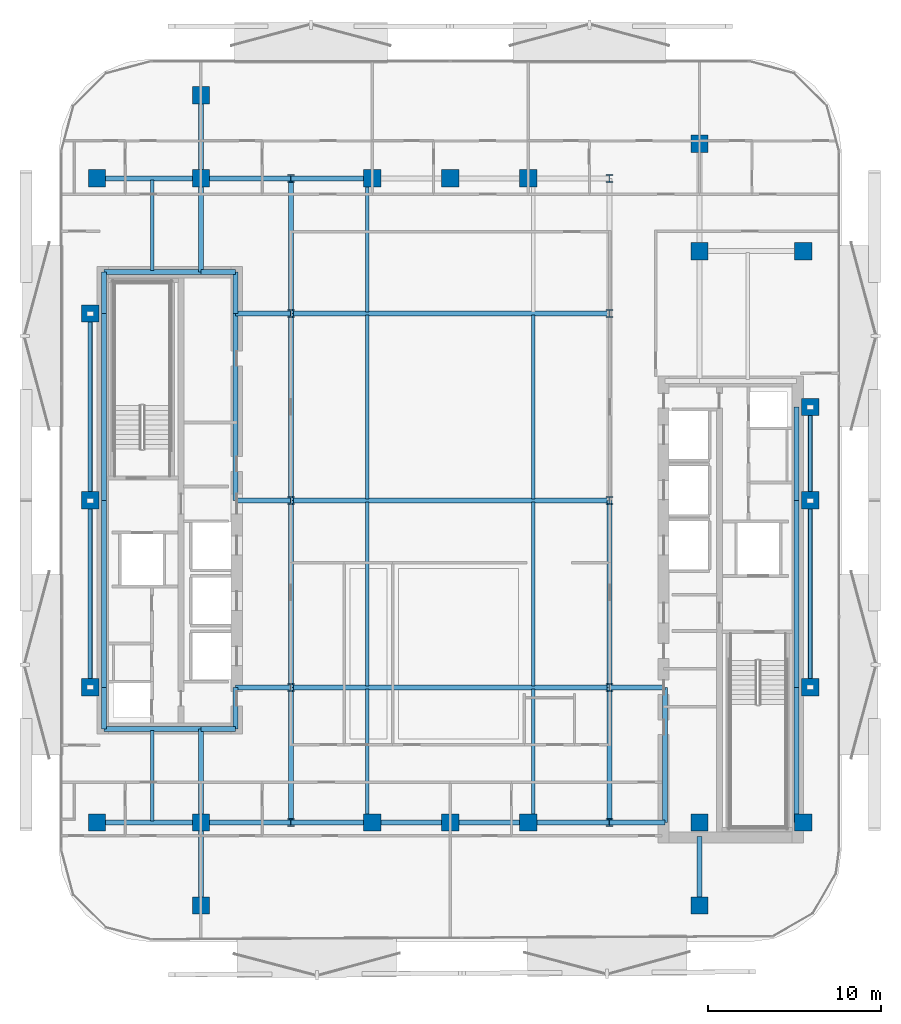
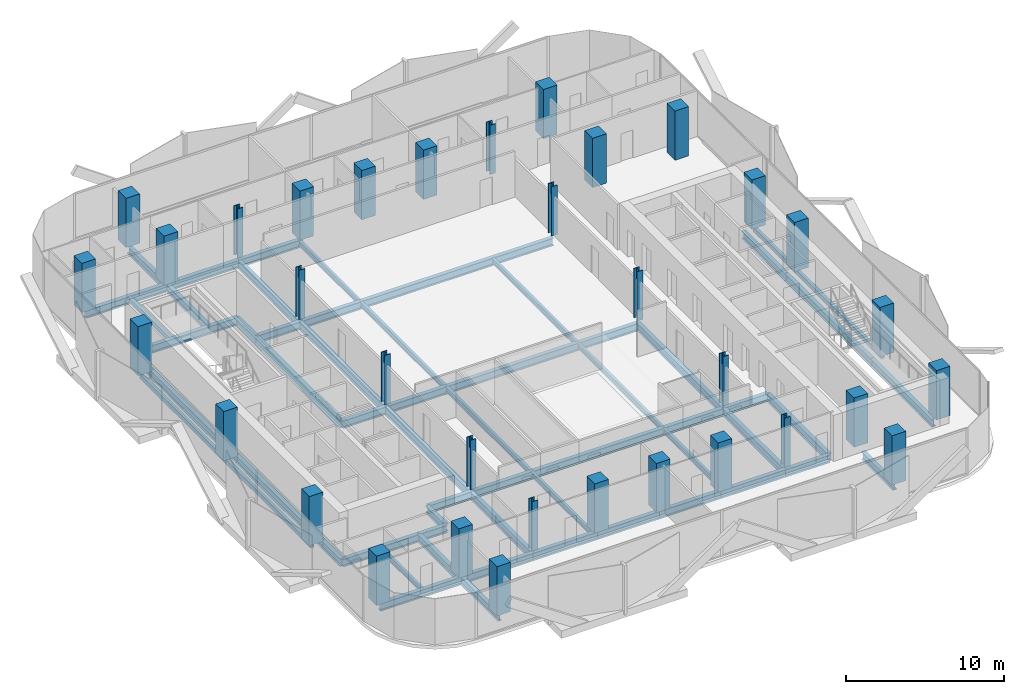
# One storey, part 1 of 17: 56 beams, 34 columns.
"""IFC4 building model written with IfcOpenShell, lengths in metres."""

from ifc_helpers import new_model, si_unit, direction, frame, origin, origin_2d, place, context, subcontext, project, spatial, rectangle, hollow_rectangle, i_section, extrude, material, material_profile, profile_set, type_object, element, save


model = new_model("IFC4")

# Units and contexts
model_context = context("Model", 3, precision=1e-05, world=origin(), true_north=direction((0.0, 1.0)))
body_context = subcontext(model_context, "Body", "Model", "MODEL_VIEW")
ifc_project = project(units=[si_unit("LENGTHUNIT", "METRE"), si_unit("AREAUNIT", "SQUARE_METRE"), si_unit("VOLUMEUNIT", "CUBIC_METRE"), si_unit("PLANEANGLEUNIT", "RADIAN"), si_unit("MASSUNIT", "GRAM", prefix="KILO")], contexts=[model_context])

# Site, building, storey
site_placement = place(None, origin())
site = spatial("IfcSite", under=ifc_project, at=site_placement, CompositionType="ELEMENT")
building_placement = place(site_placement, origin())
building = spatial("IfcBuilding", under=site, at=building_placement, Name="Khairoan Windgate Tower", CompositionType="ELEMENT")
storey_placement = place(building_placement, frame((0.0, 0.0, 168.800048828125)))
storey = spatial("IfcBuildingStorey", under=building, at=storey_placement, Name="L38", CompositionType="ELEMENT", Elevation=168.800048828125)

# Columns
ifc_material_1 = material(Name="Concrete C50/60", Category="concrete")
ifc_material_profile_1 = material_profile(ifc_material_1, rectangle(XDim=1.0, YDim=1.0, at=origin_2d()))
ifc_profile_set_1 = profile_set([ifc_material_profile_1], Name="Concrete C50/60")
column_type_1 = type_object("IfcColumnType", Name="Column C-T4 RC1000x1000", PredefinedType="COLUMN", material=ifc_profile_set_1)
for number, where, z_axis, x_axis, name in (
    (1, (-20.39990234375, -18.60009765625, 0.0), (0.0, 0.0, 1.0), (1.0, 0.0, 0.0), "Column L38-11"),
    (2, (-20.39990234375, 18.60009765625, 0.0), (0.0, 0.0, 1.0), (1.0, 0.0, 0.0), "Column L38-12"),
    (3, (20.39990234375, -18.60009765625, 0.0), (0.0, 0.0, 1.0), (1.0, 0.0, 0.0), "Column L38-13"),
    (4, (20.39990234375, 14.39990234375, 0.0), (0.0, 0.0, 1.0), (1.0, 0.0, 0.0), "Column L38-14"),
    (5, (-14.39990234375, -18.60009765625, 0.0), (0.0, 0.0, 1.0), (1.0, 0.0, 0.0), "Column L38-15"),
    (6, (-14.39990234375, 18.60009765625, 0.0), (0.0, 0.0, 1.0), (1.0, 0.0, 0.0), "Column L38-16"),
    (7, (14.39990234375, -18.60009765625, 0.0), (0.0, 0.0, 1.0), (1.0, 0.0, 0.0), "Column L38-17"),
    (8, (14.39990234375, 14.39990234375, 0.0), (0.0, 0.0, 1.0), (1.0, 0.0, 0.0), "Column L38-18"),
    (9, (-4.5, -18.60009765625, 0.0), (0.0, 0.0, 1.0), (1.0, 0.0, 0.0), "Column L38-19"),
    (10, (0.0, -18.60009765625, 0.0), (0.0, 0.0, 1.0), (1.0, 0.0, 0.0), "Column L38-20"),
    (11, (4.5, -18.60009765625, 0.0), (0.0, 0.0, 1.0), (1.0, 0.0, 0.0), "Column L38-21"),
    (12, (-4.5, 18.60009765625, 0.0), (0.0, 0.0, 1.0), (1.0, 0.0, 0.0), "Column L38-22"),
    (13, (0.0, 18.60009765625, 0.0), (0.0, 0.0, 1.0), (1.0, 0.0, 0.0), "Column L38-23"),
    (14, (4.5, 18.60009765625, 0.0), (0.0, 0.0, 1.0), (1.0, 0.0, 0.0), "Column L38-24"),
    (15, (-20.800048828125, -10.800048828125, 0.0), (0.0, 0.0, 1.0), (1.0, 0.0, 0.0), "Column L38-25"),
    (16, (-20.800048828125, 0.0, 0.0), (0.0, 0.0, 1.0), (1.0, 0.0, 0.0), "Column L38-26"),
    (17, (-20.800048828125, 10.800048828125, 0.0), (0.0, 0.0, 1.0), (1.0, 0.0, 0.0), "Column L38-27"),
    (18, (20.800048828125, -10.800048828125, 0.0), (0.0, 0.0, 1.0), (1.0, 0.0, 0.0), "Column L38-28"),
    (19, (20.800048828125, 0.0, 0.0), (0.0, 0.0, 1.0), (1.0, 0.0, 0.0), "Column L38-29"),
    (20, (20.800048828125, 5.39990234375, 0.0), (0.0, 0.0, 1.0), (1.0, 0.0, 0.0), "Column L38-30"),
    (21, (-14.39990234375, -23.39990234375, 0.0), (0.0, 0.0, 1.0), (1.0, 0.0, 0.0), "Column L38-31"),
    (22, (-14.39990234375, 23.39990234375, 0.0), (0.0, 0.0, 1.0), (1.0, 0.0, 0.0), "Column L38-32"),
    (23, (14.39990234375, -23.39990234375, 0.0), (0.0, 0.0, 1.0), (1.0, 0.0, 0.0), "Column L38-33"),
    (24, (14.39990234375, 20.60009765625, 0.0), (0.0, 0.0, 1.0), (1.0, 0.0, 0.0), "Column L38-34"),
):
    element("IfcColumn", number, at=place(storey_placement, frame(where, z_axis=z_axis, x_axis=x_axis)), inside=storey, type_object=column_type_1, Name=name, PredefinedType="COLUMN", context=body_context, shape_type="SweptSolid", body=[
        extrude(rectangle(XDim=1.0, YDim=1.0, at=origin_2d()), origin(), (0.0, 0.0, 1.0), 3.800048828125),
    ])
ifc_material_2 = material(Name="Steel S355", Category="steel")
ifc_material_profile_2 = material_profile(ifc_material_2, i_section(OverallWidth=0.4169921875, OverallDepth=0.4580078125, WebThickness=0.030029296875, FlangeThickness=0.050048828125, FilletRadius=0.02197265625, at=origin_2d()))
ifc_profile_set_2 = profile_set([ifc_material_profile_2], Name="Steel S355")
column_type_2 = type_object("IfcColumnType", Name="Steel Column SC2 H458x417x30x50", PredefinedType="COLUMN", material=ifc_profile_set_2)
for number, where, z_axis, x_axis, name in (
    (25, (-9.199951171875, -18.60009765625, 0.0), (0.0, 0.0, 1.0), (1.0, 0.0, 0.0), "Column L38-01"),
    (26, (-9.199951171875, -10.800048828125, 0.0), (0.0, 0.0, 1.0), (1.0, 0.0, 0.0), "Column L38-02"),
    (27, (-9.199951171875, 0.0, 0.0), (0.0, 0.0, 1.0), (1.0, 0.0, 0.0), "Column L38-03"),
    (28, (-9.199951171875, 10.800048828125, 0.0), (0.0, 0.0, 1.0), (1.0, 0.0, 0.0), "Column L38-04"),
    (29, (-9.199951171875, 18.60009765625, 0.0), (0.0, 0.0, 1.0), (1.0, 0.0, 0.0), "Column L38-05"),
    (30, (9.199951171875, -18.60009765625, 0.0), (0.0, 0.0, 1.0), (1.0, 0.0, 0.0), "Column L38-06"),
    (31, (9.199951171875, -10.800048828125, 0.0), (0.0, 0.0, 1.0), (1.0, 0.0, 0.0), "Column L38-07"),
    (32, (9.199951171875, 0.0, 0.0), (0.0, 0.0, 1.0), (1.0, 0.0, 0.0), "Column L38-08"),
    (33, (9.199951171875, 10.800048828125, 0.0), (0.0, 0.0, 1.0), (1.0, 0.0, 0.0), "Column L38-09"),
    (34, (9.199951171875, 18.60009765625, 0.0), (0.0, 0.0, 1.0), (1.0, 0.0, 0.0), "Column L38-10"),
):
    element("IfcColumn", number, at=place(storey_placement, frame(where, z_axis=z_axis, x_axis=x_axis)), inside=storey, type_object=column_type_2, Name=name, PredefinedType="COLUMN", context=body_context, shape_type="SweptSolid", body=[
        extrude(i_section(OverallWidth=0.4169921875, OverallDepth=0.4580078125, WebThickness=0.030029296875, FlangeThickness=0.050048828125, FilletRadius=0.02197265625, at=origin_2d()), origin(), (0.0, 0.0, 1.0), 3.800048828125),
    ])

# Beams
ifc_material_3 = material(Name="Steel S355", Category="steel")
ifc_material_profile_3 = material_profile(ifc_material_3, i_section(OverallWidth=0.300048828125, OverallDepth=0.587890625, WebThickness=0.011962890625, FlangeThickness=0.02001953125, FilletRadius=0.02392578125, at=origin_2d()))
ifc_profile_set_3 = profile_set([ifc_material_profile_3], Name="Steel S355")
beam_type_1 = type_object("IfcBeamType", Name="Beam B-G4 H588x300x12x20", PredefinedType="BEAM", material=ifc_profile_set_3)
beam_1_placement = place(storey_placement, frame((-20.39990234375, -18.60009765625, -0.553955078125), z_axis=(1.0, 0.0, 0.0), x_axis=(0.0, 1.0, 0.0)))
element("IfcBeam", 35, at=beam_1_placement, inside=storey, type_object=beam_type_1, Name="L38 E-W Primary Girder 01", PredefinedType="BEAM", context=body_context, shape_type="SweptSolid", body=[
    extrude(i_section(OverallWidth=0.300048828125, OverallDepth=0.587890625, WebThickness=0.011962890625, FlangeThickness=0.02001953125, FilletRadius=0.02392578125, at=origin_2d()), origin(), (0.0, 0.0, 1.0), 6.0),
])
beam_2_placement = place(storey_placement, frame((-14.39990234375, -18.60009765625, -0.553955078125), z_axis=(1.0, 0.0, 0.0), x_axis=(0.0, 1.0, 0.0)))
element("IfcBeam", 36, at=beam_2_placement, inside=storey, type_object=beam_type_1, Name="L38 E-W Primary Girder 02", PredefinedType="BEAM", context=body_context, shape_type="SweptSolid", body=[
    extrude(i_section(OverallWidth=0.300048828125, OverallDepth=0.587890625, WebThickness=0.011962890625, FlangeThickness=0.02001953125, FilletRadius=0.02392578125, at=origin_2d()), origin(), (0.0, 0.0, 1.0), 5.199951171875),
])
beam_3_placement = place(storey_placement, frame((-9.199951171875, -18.60009765625, -0.553955078125), z_axis=(1.0, 0.0, 0.0), x_axis=(0.0, 1.0, 0.0)))
element("IfcBeam", 37, at=beam_3_placement, inside=storey, type_object=beam_type_1, Name="L38 E-W Primary Girder 03", PredefinedType="BEAM", context=body_context, shape_type="SweptSolid", body=[
    extrude(i_section(OverallWidth=0.300048828125, OverallDepth=0.587890625, WebThickness=0.011962890625, FlangeThickness=0.02001953125, FilletRadius=0.02392578125, at=origin_2d()), origin(), (0.0, 0.0, 1.0), 4.699951171875),
])
for number, where, z_axis, x_axis, name in (
    (38, (-4.5, -18.60009765625, -0.553955078125), (1.0, 0.0, 0.0), (0.0, 1.0, 0.0), "L38 E-W Primary Girder 04"),
    (39, (0.0, -18.60009765625, -0.553955078125), (1.0, 0.0, 0.0), (0.0, 1.0, 0.0), "L38 E-W Primary Girder 05"),
):
    element("IfcBeam", number, at=place(storey_placement, frame(where, z_axis=z_axis, x_axis=x_axis)), inside=storey, type_object=beam_type_1, Name=name, PredefinedType="BEAM", context=body_context, shape_type="SweptSolid", body=[
        extrude(i_section(OverallWidth=0.300048828125, OverallDepth=0.587890625, WebThickness=0.011962890625, FlangeThickness=0.02001953125, FilletRadius=0.02392578125, at=origin_2d()), origin(), (0.0, 0.0, 1.0), 4.5),
    ])
beam_4_placement = place(storey_placement, frame((4.5, -18.60009765625, -0.553955078125), z_axis=(1.0, 0.0, 0.0), x_axis=(0.0, 1.0, 0.0)))
element("IfcBeam", 40, at=beam_4_placement, inside=storey, type_object=beam_type_1, Name="L38 E-W Primary Girder 06", PredefinedType="BEAM", context=body_context, shape_type="SweptSolid", body=[
    extrude(i_section(OverallWidth=0.300048828125, OverallDepth=0.587890625, WebThickness=0.011962890625, FlangeThickness=0.02001953125, FilletRadius=0.02392578125, at=origin_2d()), origin(), (0.0, 0.0, 1.0), 4.699951171875),
])
beam_5_placement = place(storey_placement, frame((9.199951171875, -18.60009765625, -0.553955078125), z_axis=(1.0, 0.0, 0.0), x_axis=(0.0, 1.0, 0.0)))
element("IfcBeam", 41, at=beam_5_placement, inside=storey, type_object=beam_type_1, Name="L38 E-W Primary Girder 07", PredefinedType="BEAM", context=body_context, shape_type="SweptSolid", body=[
    extrude(i_section(OverallWidth=0.300048828125, OverallDepth=0.587890625, WebThickness=0.011962890625, FlangeThickness=0.02001953125, FilletRadius=0.02392578125, at=origin_2d()), origin(), (0.0, 0.0, 1.0), 3.199951171875),
])
beam_6_placement = place(storey_placement, frame((-20.0, -13.199951171875, -0.553955078125), z_axis=(1.0, 0.0, 0.0), x_axis=(0.0, 1.0, 0.0)))
element("IfcBeam", 42, at=beam_6_placement, inside=storey, type_object=beam_type_1, Name="L38 E-W Primary Girder 08", PredefinedType="BEAM", context=body_context, shape_type="SweptSolid", body=[
    extrude(i_section(OverallWidth=0.300048828125, OverallDepth=0.587890625, WebThickness=0.011962890625, FlangeThickness=0.02001953125, FilletRadius=0.02392578125, at=origin_2d()), origin(), (0.0, 0.0, 1.0), 5.60009765625),
])
beam_7_placement = place(storey_placement, frame((-14.39990234375, -13.199951171875, -0.553955078125), z_axis=(1.0, 0.0, 0.0), x_axis=(0.0, 1.0, 0.0)))
element("IfcBeam", 43, at=beam_7_placement, inside=storey, type_object=beam_type_1, Name="L38 E-W Primary Girder 09", PredefinedType="BEAM", context=body_context, shape_type="SweptSolid", body=[
    extrude(i_section(OverallWidth=0.300048828125, OverallDepth=0.587890625, WebThickness=0.011962890625, FlangeThickness=0.02001953125, FilletRadius=0.02392578125, at=origin_2d()), origin(), (0.0, 0.0, 1.0), 2.0),
])
beam_8_placement = place(storey_placement, frame((-12.39990234375, -10.800048828125, -0.553955078125), z_axis=(1.0, 0.0, 0.0), x_axis=(0.0, 1.0, 0.0)))
element("IfcBeam", 44, at=beam_8_placement, inside=storey, type_object=beam_type_1, Name="L38 E-W Primary Girder 10", PredefinedType="BEAM", context=body_context, shape_type="SweptSolid", body=[
    extrude(i_section(OverallWidth=0.300048828125, OverallDepth=0.587890625, WebThickness=0.011962890625, FlangeThickness=0.02001953125, FilletRadius=0.02392578125, at=origin_2d()), origin(), (0.0, 0.0, 1.0), 3.199951171875),
])
beam_9_placement = place(storey_placement, frame((-9.199951171875, -10.800048828125, -0.553955078125), z_axis=(1.0, 0.0, 0.0), x_axis=(0.0, 1.0, 0.0)))
element("IfcBeam", 45, at=beam_9_placement, inside=storey, type_object=beam_type_1, Name="L38 E-W Primary Girder 11", PredefinedType="BEAM", context=body_context, shape_type="SweptSolid", body=[
    extrude(i_section(OverallWidth=0.300048828125, OverallDepth=0.587890625, WebThickness=0.011962890625, FlangeThickness=0.02001953125, FilletRadius=0.02392578125, at=origin_2d()), origin(), (0.0, 0.0, 1.0), 18.39990234375),
])
for number, where, z_axis, x_axis, name in (
    (46, (9.199951171875, -10.800048828125, -0.553955078125), (1.0, 0.0, 0.0), (0.0, 1.0, 0.0), "L38 E-W Primary Girder 12"),
    (47, (-12.39990234375, 0.0, -0.553955078125), (1.0, 0.0, 0.0), (0.0, 1.0, 0.0), "L38 E-W Primary Girder 13"),
):
    element("IfcBeam", number, at=place(storey_placement, frame(where, z_axis=z_axis, x_axis=x_axis)), inside=storey, type_object=beam_type_1, Name=name, PredefinedType="BEAM", context=body_context, shape_type="SweptSolid", body=[
        extrude(i_section(OverallWidth=0.300048828125, OverallDepth=0.587890625, WebThickness=0.011962890625, FlangeThickness=0.02001953125, FilletRadius=0.02392578125, at=origin_2d()), origin(), (0.0, 0.0, 1.0), 3.199951171875),
    ])
beam_10_placement = place(storey_placement, frame((-9.199951171875, 0.0, -0.553955078125), z_axis=(1.0, 0.0, 0.0), x_axis=(0.0, 1.0, 0.0)))
element("IfcBeam", 48, at=beam_10_placement, inside=storey, type_object=beam_type_1, Name="L38 E-W Primary Girder 14", PredefinedType="BEAM", context=body_context, shape_type="SweptSolid", body=[
    extrude(i_section(OverallWidth=0.300048828125, OverallDepth=0.587890625, WebThickness=0.011962890625, FlangeThickness=0.02001953125, FilletRadius=0.02392578125, at=origin_2d()), origin(), (0.0, 0.0, 1.0), 18.39990234375),
])
beam_11_placement = place(storey_placement, frame((-12.39990234375, 10.800048828125, -0.553955078125), z_axis=(1.0, 0.0, 0.0), x_axis=(0.0, 1.0, 0.0)))
element("IfcBeam", 49, at=beam_11_placement, inside=storey, type_object=beam_type_1, Name="L38 E-W Primary Girder 17", PredefinedType="BEAM", context=body_context, shape_type="SweptSolid", body=[
    extrude(i_section(OverallWidth=0.300048828125, OverallDepth=0.587890625, WebThickness=0.011962890625, FlangeThickness=0.02001953125, FilletRadius=0.02392578125, at=origin_2d()), origin(), (0.0, 0.0, 1.0), 3.199951171875),
])
beam_12_placement = place(storey_placement, frame((-9.199951171875, 10.800048828125, -0.553955078125), z_axis=(1.0, 0.0, 0.0), x_axis=(0.0, 1.0, 0.0)))
element("IfcBeam", 50, at=beam_12_placement, inside=storey, type_object=beam_type_1, Name="L38 E-W Primary Girder 18", PredefinedType="BEAM", context=body_context, shape_type="SweptSolid", body=[
    extrude(i_section(OverallWidth=0.300048828125, OverallDepth=0.587890625, WebThickness=0.011962890625, FlangeThickness=0.02001953125, FilletRadius=0.02392578125, at=origin_2d()), origin(), (0.0, 0.0, 1.0), 18.39990234375),
])
beam_13_placement = place(storey_placement, frame((-20.0, 13.199951171875, -0.553955078125), z_axis=(1.0, 0.0, 0.0), x_axis=(0.0, 1.0, 0.0)))
element("IfcBeam", 51, at=beam_13_placement, inside=storey, type_object=beam_type_1, Name="L38 E-W Primary Girder 19", PredefinedType="BEAM", context=body_context, shape_type="SweptSolid", body=[
    extrude(i_section(OverallWidth=0.300048828125, OverallDepth=0.587890625, WebThickness=0.011962890625, FlangeThickness=0.02001953125, FilletRadius=0.02392578125, at=origin_2d()), origin(), (0.0, 0.0, 1.0), 5.60009765625),
])
beam_14_placement = place(storey_placement, frame((-14.39990234375, 13.199951171875, -0.553955078125), z_axis=(1.0, 0.0, 0.0), x_axis=(0.0, 1.0, 0.0)))
element("IfcBeam", 52, at=beam_14_placement, inside=storey, type_object=beam_type_1, Name="L38 E-W Primary Girder 20", PredefinedType="BEAM", context=body_context, shape_type="SweptSolid", body=[
    extrude(i_section(OverallWidth=0.300048828125, OverallDepth=0.587890625, WebThickness=0.011962890625, FlangeThickness=0.02001953125, FilletRadius=0.02392578125, at=origin_2d()), origin(), (0.0, 0.0, 1.0), 2.0),
])
beam_15_placement = place(storey_placement, frame((-20.39990234375, 18.60009765625, -0.553955078125), z_axis=(1.0, 0.0, 0.0), x_axis=(0.0, 1.0, 0.0)))
element("IfcBeam", 53, at=beam_15_placement, inside=storey, type_object=beam_type_1, Name="L38 E-W Primary Girder 22", PredefinedType="BEAM", context=body_context, shape_type="SweptSolid", body=[
    extrude(i_section(OverallWidth=0.300048828125, OverallDepth=0.587890625, WebThickness=0.011962890625, FlangeThickness=0.02001953125, FilletRadius=0.02392578125, at=origin_2d()), origin(), (0.0, 0.0, 1.0), 6.0),
])
beam_16_placement = place(storey_placement, frame((-14.39990234375, 18.60009765625, -0.553955078125), z_axis=(1.0, 0.0, 0.0), x_axis=(0.0, 1.0, 0.0)))
element("IfcBeam", 54, at=beam_16_placement, inside=storey, type_object=beam_type_1, Name="L38 E-W Primary Girder 23", PredefinedType="BEAM", context=body_context, shape_type="SweptSolid", body=[
    extrude(i_section(OverallWidth=0.300048828125, OverallDepth=0.587890625, WebThickness=0.011962890625, FlangeThickness=0.02001953125, FilletRadius=0.02392578125, at=origin_2d()), origin(), (0.0, 0.0, 1.0), 5.199951171875),
])
beam_17_placement = place(storey_placement, frame((-9.199951171875, 18.60009765625, -0.553955078125), z_axis=(1.0, 0.0, 0.0), x_axis=(0.0, 1.0, 0.0)))
element("IfcBeam", 55, at=beam_17_placement, inside=storey, type_object=beam_type_1, Name="L38 E-W Primary Girder 24", PredefinedType="BEAM", context=body_context, shape_type="SweptSolid", body=[
    extrude(i_section(OverallWidth=0.300048828125, OverallDepth=0.587890625, WebThickness=0.011962890625, FlangeThickness=0.02001953125, FilletRadius=0.02392578125, at=origin_2d()), origin(), (0.0, 0.0, 1.0), 4.699951171875),
])
beam_18_placement = place(storey_placement, frame((-20.0, -13.199951171875, -0.553955078125), z_axis=(0.0, 1.0, 0.0), x_axis=(-1.0, 0.0, 0.0)))
element("IfcBeam", 56, at=beam_18_placement, inside=storey, type_object=beam_type_1, Name="L38 N-S Primary Beam 30", PredefinedType="BEAM", context=body_context, shape_type="SweptSolid", body=[
    extrude(i_section(OverallWidth=0.300048828125, OverallDepth=0.587890625, WebThickness=0.011962890625, FlangeThickness=0.02001953125, FilletRadius=0.02392578125, at=origin_2d()), origin(), (0.0, 0.0, 1.0), 2.39990234375),
])
for number, where, z_axis, x_axis, name in (
    (57, (-20.0, -10.800048828125, -0.553955078125), (0.0, 1.0, 0.0), (-1.0, 0.0, 0.0), "L38 N-S Primary Beam 31"),
    (58, (-20.0, 0.0, -0.553955078125), (0.0, 1.0, 0.0), (-1.0, 0.0, 0.0), "L38 N-S Primary Beam 32"),
):
    element("IfcBeam", number, at=place(storey_placement, frame(where, z_axis=z_axis, x_axis=x_axis)), inside=storey, type_object=beam_type_1, Name=name, PredefinedType="BEAM", context=body_context, shape_type="SweptSolid", body=[
        extrude(i_section(OverallWidth=0.300048828125, OverallDepth=0.587890625, WebThickness=0.011962890625, FlangeThickness=0.02001953125, FilletRadius=0.02392578125, at=origin_2d()), origin(), (0.0, 0.0, 1.0), 10.800048828125),
    ])
beam_19_placement = place(storey_placement, frame((-20.0, 10.800048828125, -0.553955078125), z_axis=(0.0, 1.0, 0.0), x_axis=(-1.0, 0.0, 0.0)))
element("IfcBeam", 59, at=beam_19_placement, inside=storey, type_object=beam_type_1, Name="L38 N-S Primary Beam 33", PredefinedType="BEAM", context=body_context, shape_type="SweptSolid", body=[
    extrude(i_section(OverallWidth=0.300048828125, OverallDepth=0.587890625, WebThickness=0.011962890625, FlangeThickness=0.02001953125, FilletRadius=0.02392578125, at=origin_2d()), origin(), (0.0, 0.0, 1.0), 2.39990234375),
])
beam_20_placement = place(storey_placement, frame((-14.39990234375, -23.39990234375, -0.553955078125), z_axis=(0.0, 1.0, 0.0), x_axis=(-1.0, 0.0, 0.0)))
element("IfcBeam", 60, at=beam_20_placement, inside=storey, type_object=beam_type_1, Name="L38 N-S Primary Beam 34", PredefinedType="BEAM", context=body_context, shape_type="SweptSolid", body=[
    extrude(i_section(OverallWidth=0.300048828125, OverallDepth=0.587890625, WebThickness=0.011962890625, FlangeThickness=0.02001953125, FilletRadius=0.02392578125, at=origin_2d()), origin(), (0.0, 0.0, 1.0), 4.7998046875),
])
for number, where, z_axis, x_axis, name in (
    (61, (-14.39990234375, -18.60009765625, -0.553955078125), (0.0, 1.0, 0.0), (-1.0, 0.0, 0.0), "L38 N-S Primary Beam 35"),
    (62, (-14.39990234375, 13.199951171875, -0.553955078125), (0.0, 1.0, 0.0), (-1.0, 0.0, 0.0), "L38 N-S Primary Beam 36"),
):
    element("IfcBeam", number, at=place(storey_placement, frame(where, z_axis=z_axis, x_axis=x_axis)), inside=storey, type_object=beam_type_1, Name=name, PredefinedType="BEAM", context=body_context, shape_type="SweptSolid", body=[
        extrude(i_section(OverallWidth=0.300048828125, OverallDepth=0.587890625, WebThickness=0.011962890625, FlangeThickness=0.02001953125, FilletRadius=0.02392578125, at=origin_2d()), origin(), (0.0, 0.0, 1.0), 5.400146484375),
    ])
beam_21_placement = place(storey_placement, frame((-14.39990234375, 18.60009765625, -0.553955078125), z_axis=(0.0, 1.0, 0.0), x_axis=(-1.0, 0.0, 0.0)))
element("IfcBeam", 63, at=beam_21_placement, inside=storey, type_object=beam_type_1, Name="L38 N-S Primary Beam 37", PredefinedType="BEAM", context=body_context, shape_type="SweptSolid", body=[
    extrude(i_section(OverallWidth=0.300048828125, OverallDepth=0.587890625, WebThickness=0.011962890625, FlangeThickness=0.02001953125, FilletRadius=0.02392578125, at=origin_2d()), origin(), (0.0, 0.0, 1.0), 4.7998046875),
])
beam_22_placement = place(storey_placement, frame((-12.39990234375, -13.199951171875, -0.553955078125), z_axis=(0.0, 1.0, 0.0), x_axis=(-1.0, 0.0, 0.0)))
element("IfcBeam", 64, at=beam_22_placement, inside=storey, type_object=beam_type_1, Name="L38 N-S Primary Beam 38", PredefinedType="BEAM", context=body_context, shape_type="SweptSolid", body=[
    extrude(i_section(OverallWidth=0.300048828125, OverallDepth=0.587890625, WebThickness=0.011962890625, FlangeThickness=0.02001953125, FilletRadius=0.02392578125, at=origin_2d()), origin(), (0.0, 0.0, 1.0), 2.39990234375),
])
beam_23_placement = place(storey_placement, frame((-12.39990234375, 0.0, -0.553955078125), z_axis=(0.0, 1.0, 0.0), x_axis=(-1.0, 0.0, 0.0)))
element("IfcBeam", 65, at=beam_23_placement, inside=storey, type_object=beam_type_1, Name="L38 N-S Primary Beam 39", PredefinedType="BEAM", context=body_context, shape_type="SweptSolid", body=[
    extrude(i_section(OverallWidth=0.300048828125, OverallDepth=0.587890625, WebThickness=0.011962890625, FlangeThickness=0.02001953125, FilletRadius=0.02392578125, at=origin_2d()), origin(), (0.0, 0.0, 1.0), 10.800048828125),
])
beam_24_placement = place(storey_placement, frame((-12.39990234375, 10.800048828125, -0.553955078125), z_axis=(0.0, 1.0, 0.0), x_axis=(-1.0, 0.0, 0.0)))
element("IfcBeam", 66, at=beam_24_placement, inside=storey, type_object=beam_type_1, Name="L38 N-S Primary Beam 40", PredefinedType="BEAM", context=body_context, shape_type="SweptSolid", body=[
    extrude(i_section(OverallWidth=0.300048828125, OverallDepth=0.587890625, WebThickness=0.011962890625, FlangeThickness=0.02001953125, FilletRadius=0.02392578125, at=origin_2d()), origin(), (0.0, 0.0, 1.0), 2.39990234375),
])
beam_25_placement = place(storey_placement, frame((-9.199951171875, -18.60009765625, -0.553955078125), z_axis=(0.0, 1.0, 0.0), x_axis=(-1.0, 0.0, 0.0)))
element("IfcBeam", 67, at=beam_25_placement, inside=storey, type_object=beam_type_1, Name="L38 N-S Primary Beam 41", PredefinedType="BEAM", context=body_context, shape_type="SweptSolid", body=[
    extrude(i_section(OverallWidth=0.300048828125, OverallDepth=0.587890625, WebThickness=0.011962890625, FlangeThickness=0.02001953125, FilletRadius=0.02392578125, at=origin_2d()), origin(), (0.0, 0.0, 1.0), 7.800048828125),
])
for number, where, z_axis, x_axis, name in (
    (68, (-9.199951171875, -10.800048828125, -0.553955078125), (0.0, 1.0, 0.0), (-1.0, 0.0, 0.0), "L38 N-S Primary Beam 42"),
    (69, (-9.199951171875, 0.0, -0.553955078125), (0.0, 1.0, 0.0), (-1.0, 0.0, 0.0), "L38 N-S Primary Beam 43"),
):
    element("IfcBeam", number, at=place(storey_placement, frame(where, z_axis=z_axis, x_axis=x_axis)), inside=storey, type_object=beam_type_1, Name=name, PredefinedType="BEAM", context=body_context, shape_type="SweptSolid", body=[
        extrude(i_section(OverallWidth=0.300048828125, OverallDepth=0.587890625, WebThickness=0.011962890625, FlangeThickness=0.02001953125, FilletRadius=0.02392578125, at=origin_2d()), origin(), (0.0, 0.0, 1.0), 10.800048828125),
    ])
for number, where, z_axis, x_axis, name in (
    (70, (-9.199951171875, 10.800048828125, -0.553955078125), (0.0, 1.0, 0.0), (-1.0, 0.0, 0.0), "L38 N-S Primary Beam 44"),
    (71, (9.199951171875, -18.60009765625, -0.553955078125), (0.0, 1.0, 0.0), (-1.0, 0.0, 0.0), "L38 N-S Primary Beam 45"),
):
    element("IfcBeam", number, at=place(storey_placement, frame(where, z_axis=z_axis, x_axis=x_axis)), inside=storey, type_object=beam_type_1, Name=name, PredefinedType="BEAM", context=body_context, shape_type="SweptSolid", body=[
        extrude(i_section(OverallWidth=0.300048828125, OverallDepth=0.587890625, WebThickness=0.011962890625, FlangeThickness=0.02001953125, FilletRadius=0.02392578125, at=origin_2d()), origin(), (0.0, 0.0, 1.0), 7.800048828125),
    ])
beam_26_placement = place(storey_placement, frame((9.199951171875, -10.800048828125, -0.553955078125), z_axis=(0.0, 1.0, 0.0), x_axis=(-1.0, 0.0, 0.0)))
element("IfcBeam", 72, at=beam_26_placement, inside=storey, type_object=beam_type_1, Name="L38 N-S Primary Beam 46", PredefinedType="BEAM", context=body_context, shape_type="SweptSolid", body=[
    extrude(i_section(OverallWidth=0.300048828125, OverallDepth=0.587890625, WebThickness=0.011962890625, FlangeThickness=0.02001953125, FilletRadius=0.02392578125, at=origin_2d()), origin(), (0.0, 0.0, 1.0), 10.800048828125),
])
beam_27_placement = place(storey_placement, frame((12.39990234375, -18.60009765625, -0.553955078125), z_axis=(0.0, 1.0, 0.0), x_axis=(-1.0, 0.0, 0.0)))
element("IfcBeam", 73, at=beam_27_placement, inside=storey, type_object=beam_type_1, Name="L38 N-S Primary Beam 49", PredefinedType="BEAM", context=body_context, shape_type="SweptSolid", body=[
    extrude(i_section(OverallWidth=0.300048828125, OverallDepth=0.587890625, WebThickness=0.011962890625, FlangeThickness=0.02001953125, FilletRadius=0.02392578125, at=origin_2d()), origin(), (0.0, 0.0, 1.0), 7.800048828125),
])
beam_28_placement = place(storey_placement, frame((14.39990234375, -23.39990234375, -0.553955078125), z_axis=(0.0, 1.0, 0.0), x_axis=(-1.0, 0.0, 0.0)))
element("IfcBeam", 74, at=beam_28_placement, inside=storey, type_object=beam_type_1, Name="L38 N-S Primary Beam 50", PredefinedType="BEAM", context=body_context, shape_type="SweptSolid", body=[
    extrude(i_section(OverallWidth=0.300048828125, OverallDepth=0.587890625, WebThickness=0.011962890625, FlangeThickness=0.02001953125, FilletRadius=0.02392578125, at=origin_2d()), origin(), (0.0, 0.0, 1.0), 4.0),
])
beam_29_placement = place(storey_placement, frame((20.0, -18.60009765625, -0.553955078125), z_axis=(0.0, 1.0, 0.0), x_axis=(-1.0, 0.0, 0.0)))
element("IfcBeam", 75, at=beam_29_placement, inside=storey, type_object=beam_type_1, Name="L38 N-S Primary Beam 53", PredefinedType="BEAM", context=body_context, shape_type="SweptSolid", body=[
    extrude(i_section(OverallWidth=0.300048828125, OverallDepth=0.587890625, WebThickness=0.011962890625, FlangeThickness=0.02001953125, FilletRadius=0.02392578125, at=origin_2d()), origin(), (0.0, 0.0, 1.0), 7.800048828125),
])
beam_30_placement = place(storey_placement, frame((20.0, -10.800048828125, -0.553955078125), z_axis=(0.0, 1.0, 0.0), x_axis=(-1.0, 0.0, 0.0)))
element("IfcBeam", 76, at=beam_30_placement, inside=storey, type_object=beam_type_1, Name="L38 N-S Primary Beam 54", PredefinedType="BEAM", context=body_context, shape_type="SweptSolid", body=[
    extrude(i_section(OverallWidth=0.300048828125, OverallDepth=0.587890625, WebThickness=0.011962890625, FlangeThickness=0.02001953125, FilletRadius=0.02392578125, at=origin_2d()), origin(), (0.0, 0.0, 1.0), 10.800048828125),
])
beam_31_placement = place(storey_placement, frame((20.0, 0.0, -0.553955078125), z_axis=(0.0, 1.0, 0.0), x_axis=(-1.0, 0.0, 0.0)))
element("IfcBeam", 77, at=beam_31_placement, inside=storey, type_object=beam_type_1, Name="L38 N-S Primary Beam 55", PredefinedType="BEAM", context=body_context, shape_type="SweptSolid", body=[
    extrude(i_section(OverallWidth=0.300048828125, OverallDepth=0.587890625, WebThickness=0.011962890625, FlangeThickness=0.02001953125, FilletRadius=0.02392578125, at=origin_2d()), origin(), (0.0, 0.0, 1.0), 5.39990234375),
])
ifc_material_4 = material(Name="Steel S355", Category="steel")
ifc_material_profile_4 = material_profile(ifc_material_4, i_section(OverallWidth=0.199951171875, OverallDepth=0.39990234375, WebThickness=0.008056640625, FlangeThickness=0.012939453125, FilletRadius=0.01611328125, at=origin_2d()))
ifc_profile_set_4 = profile_set([ifc_material_profile_4], Name="Steel S355")
beam_type_2 = type_object("IfcBeamType", Name="Beam J-S4 H400x200x8x13", PredefinedType="JOIST", material=ifc_profile_set_4)
for number, where, z_axis, x_axis, name in (
    (78, (-17.199951171875, -18.510009765625, -0.4599609375), (0.0, 1.0, 0.0), (-1.0, 0.0, 0.0), "L38 Secondary Floor Joist 01"),
    (79, (-17.199951171875, 13.2900390625, -0.4599609375), (0.0, 1.0, 0.0), (-1.0, 0.0, 0.0), "L38 Secondary Floor Joist 02"),
):
    element("IfcBeam", number, at=place(storey_placement, frame(where, z_axis=z_axis, x_axis=x_axis)), inside=storey, type_object=beam_type_2, Name=name, PredefinedType="JOIST", context=body_context, shape_type="SweptSolid", body=[
        extrude(i_section(OverallWidth=0.199951171875, OverallDepth=0.39990234375, WebThickness=0.008056640625, FlangeThickness=0.012939453125, FilletRadius=0.01611328125, at=origin_2d()), origin(), (0.0, 0.0, 1.0), 5.219970703125),
    ])
beam_32_placement = place(storey_placement, frame((-4.800048828125, -18.510009765625, -0.4599609375), z_axis=(0.0, 1.0, 0.0), x_axis=(-1.0, 0.0, 0.0)))
element("IfcBeam", 80, at=beam_32_placement, inside=storey, type_object=beam_type_2, Name="L38 Secondary Floor Joist 03", PredefinedType="JOIST", context=body_context, shape_type="SweptSolid", body=[
    extrude(i_section(OverallWidth=0.199951171875, OverallDepth=0.39990234375, WebThickness=0.008056640625, FlangeThickness=0.012939453125, FilletRadius=0.01611328125, at=origin_2d()), origin(), (0.0, 0.0, 1.0), 7.6201171875),
])
for number, where, z_axis, x_axis, name in (
    (81, (-4.800048828125, -10.7099609375, -0.4599609375), (0.0, 1.0, 0.0), (-1.0, 0.0, 0.0), "L38 Secondary Floor Joist 04"),
    (82, (-4.800048828125, 0.090087890625, -0.4599609375), (0.0, 1.0, 0.0), (-1.0, 0.0, 0.0), "L38 Secondary Floor Joist 05"),
):
    element("IfcBeam", number, at=place(storey_placement, frame(where, z_axis=z_axis, x_axis=x_axis)), inside=storey, type_object=beam_type_2, Name=name, PredefinedType="JOIST", context=body_context, shape_type="SweptSolid", body=[
        extrude(i_section(OverallWidth=0.199951171875, OverallDepth=0.39990234375, WebThickness=0.008056640625, FlangeThickness=0.012939453125, FilletRadius=0.01611328125, at=origin_2d()), origin(), (0.0, 0.0, 1.0), 10.619873046875),
    ])
for number, where, z_axis, x_axis, name in (
    (83, (-4.800048828125, 10.889892578125, -0.4599609375), (0.0, 1.0, 0.0), (-1.0, 0.0, 0.0), "L38 Secondary Floor Joist 06"),
    (84, (4.800048828125, -18.510009765625, -0.4599609375), (0.0, 1.0, 0.0), (-1.0, 0.0, 0.0), "L38 Secondary Floor Joist 07"),
):
    element("IfcBeam", number, at=place(storey_placement, frame(where, z_axis=z_axis, x_axis=x_axis)), inside=storey, type_object=beam_type_2, Name=name, PredefinedType="JOIST", context=body_context, shape_type="SweptSolid", body=[
        extrude(i_section(OverallWidth=0.199951171875, OverallDepth=0.39990234375, WebThickness=0.008056640625, FlangeThickness=0.012939453125, FilletRadius=0.01611328125, at=origin_2d()), origin(), (0.0, 0.0, 1.0), 7.6201171875),
    ])
for number, where, z_axis, x_axis, name in (
    (85, (4.800048828125, -10.7099609375, -0.4599609375), (0.0, 1.0, 0.0), (-1.0, 0.0, 0.0), "L38 Secondary Floor Joist 08"),
    (86, (4.800048828125, 0.090087890625, -0.4599609375), (0.0, 1.0, 0.0), (-1.0, 0.0, 0.0), "L38 Secondary Floor Joist 09"),
):
    element("IfcBeam", number, at=place(storey_placement, frame(where, z_axis=z_axis, x_axis=x_axis)), inside=storey, type_object=beam_type_2, Name=name, PredefinedType="JOIST", context=body_context, shape_type="SweptSolid", body=[
        extrude(i_section(OverallWidth=0.199951171875, OverallDepth=0.39990234375, WebThickness=0.008056640625, FlangeThickness=0.012939453125, FilletRadius=0.01611328125, at=origin_2d()), origin(), (0.0, 0.0, 1.0), 10.619873046875),
    ])
ifc_material_5 = material(Name="Steel S355", Category="steel")
ifc_material_profile_5 = material_profile(ifc_material_5, hollow_rectangle(XDim=0.25, YDim=0.35009765625, WallThickness=0.012451171875, InnerFilletRadius=0.012451171875, OuterFilletRadius=0.02490234375, at=origin_2d()))
ifc_profile_set_5 = profile_set([ifc_material_profile_5], Name="Steel S355")
beam_type_3 = type_object("IfcBeamType", Name="Beam SP-B2 RHS350x250x12.5", PredefinedType="SPANDREL", material=ifc_profile_set_5)
for number, where, z_axis, x_axis, name in (
    (87, (-20.800048828125, -10.800048828125, -0.43505859375), (0.0, 1.0, 0.0), (-1.0, 0.0, 0.0), "L38 Spandrel Beam 28"),
    (88, (-20.800048828125, 0.0, -0.43505859375), (0.0, 1.0, 0.0), (-1.0, 0.0, 0.0), "L38 Spandrel Beam 29"),
    (89, (20.800048828125, -10.800048828125, -0.43505859375), (0.0, 1.0, 0.0), (-1.0, 0.0, 0.0), "L38 Spandrel Beam 56"),
):
    element("IfcBeam", number, at=place(storey_placement, frame(where, z_axis=z_axis, x_axis=x_axis)), inside=storey, type_object=beam_type_3, Name=name, PredefinedType="SPANDREL", context=body_context, shape_type="SweptSolid", body=[
        extrude(hollow_rectangle(XDim=0.25, YDim=0.35009765625, WallThickness=0.012451171875, InnerFilletRadius=0.012451171875, OuterFilletRadius=0.02490234375, at=origin_2d()), origin(), (0.0, 0.0, 1.0), 10.800048828125),
    ])
beam_33_placement = place(storey_placement, frame((20.800048828125, 0.0, -0.43505859375), z_axis=(0.0, 1.0, 0.0), x_axis=(-1.0, 0.0, 0.0)))
element("IfcBeam", 90, at=beam_33_placement, inside=storey, type_object=beam_type_3, Name="L38 Spandrel Beam 57", PredefinedType="SPANDREL", context=body_context, shape_type="SweptSolid", body=[
    extrude(hollow_rectangle(XDim=0.25, YDim=0.35009765625, WallThickness=0.012451171875, InnerFilletRadius=0.012451171875, OuterFilletRadius=0.02490234375, at=origin_2d()), origin(), (0.0, 0.0, 1.0), 5.39990234375),
])

save(model, "model.ifc")
